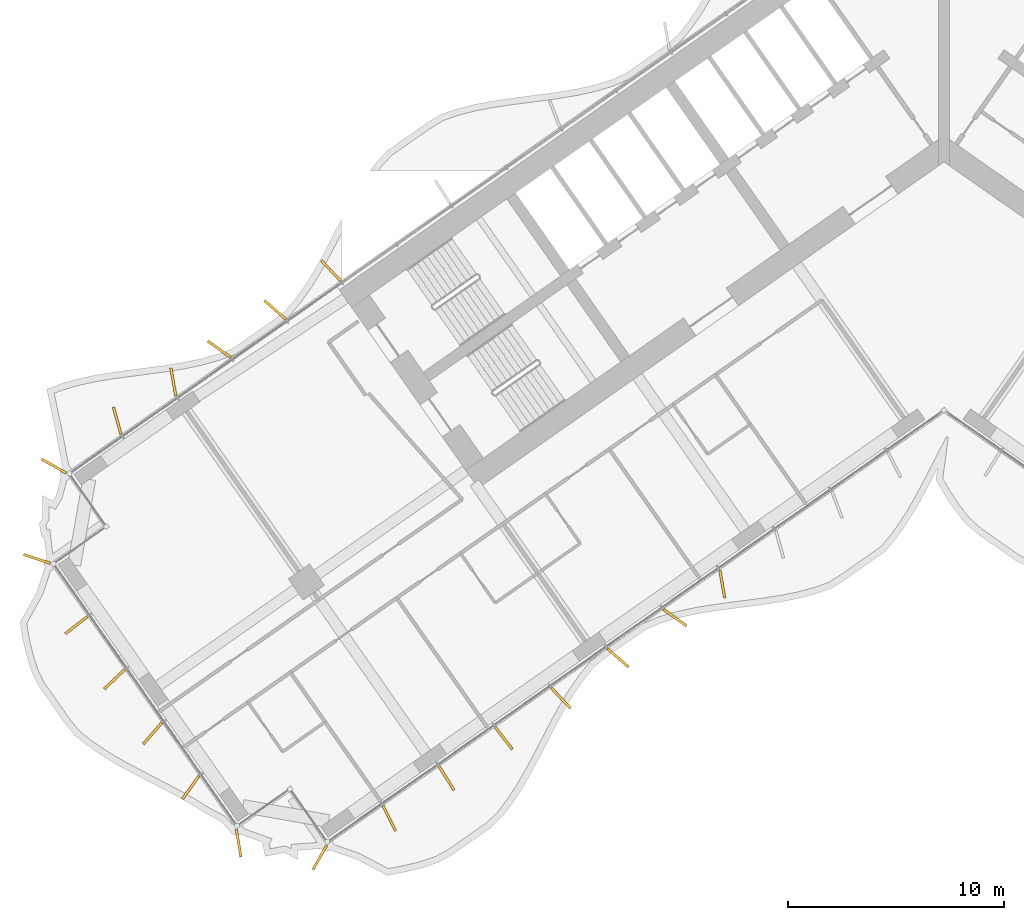
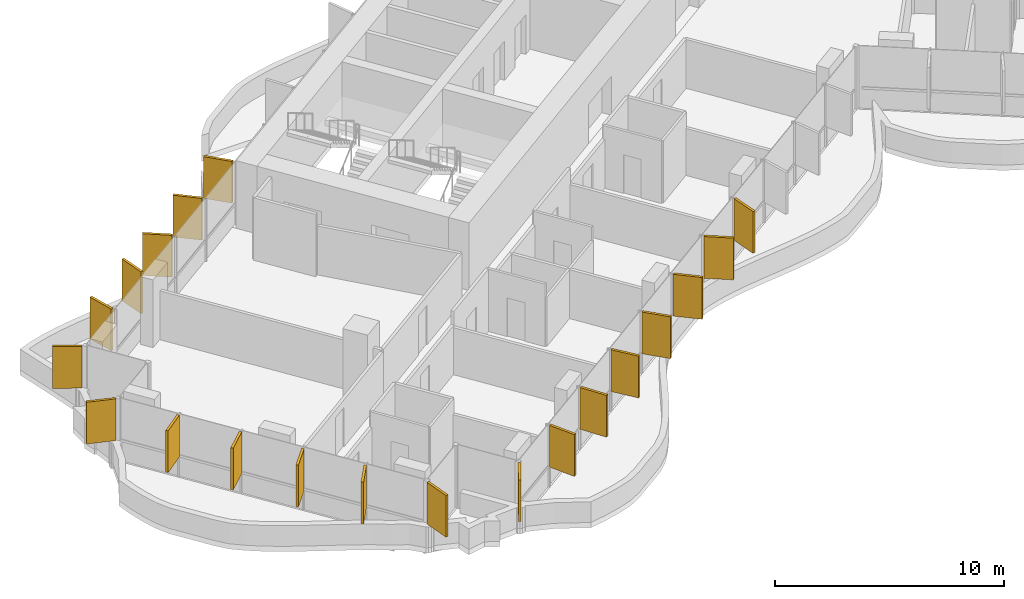
# One storey, part 18 of 23: 20 shading devices.
"""IFC4 building model written with IfcOpenShell, lengths in metres."""

from ifc_helpers import new_model, si_unit, direction, frame, origin, origin_2d, place, context, subcontext, project, spatial, rectangle, extrude, material, layer, layer_set, type_object, element, save


model = new_model("IFC4")

# Units and contexts
model_context = context("Model", 3, precision=1e-05, world=origin(), true_north=direction((0.0, 1.0)))
body_context = subcontext(model_context, "Body", "Model", "MODEL_VIEW")
ifc_project = project(units=[si_unit("LENGTHUNIT", "METRE"), si_unit("AREAUNIT", "SQUARE_METRE"), si_unit("VOLUMEUNIT", "CUBIC_METRE"), si_unit("PLANEANGLEUNIT", "RADIAN"), si_unit("MASSUNIT", "GRAM", prefix="KILO")], contexts=[model_context])

# Site, building, storey
site_placement = place(None, origin())
site = spatial("IfcSite", under=ifc_project, at=site_placement, CompositionType="ELEMENT")
building_placement = place(site_placement, origin())
building = spatial("IfcBuilding", under=site, at=building_placement, Name="Tel Ilan Convention Tower", CompositionType="ELEMENT")
storey_placement = place(building_placement, frame((0.0, 0.0, 112.10009765625)))
storey = spatial("IfcBuildingStorey", under=building, at=storey_placement, Name="L24", CompositionType="ELEMENT", Elevation=112.10009765625)

# Shading devices
ifc_material = material(Name="Aluminium, bronze anodised", Category="aluminium")
ifc_layer = layer(ifc_material, 0.1201171875)
ifc_layer_set = layer_set([ifc_layer], Name="FIN BRONZE 1300x120")
shading_device_type = type_object("IfcShadingDeviceType", Name="FIN BRONZE 1300x120", PredefinedType="USERDEFINED", material=ifc_layer_set)
for number, where, z_axis, x_axis, name in (
    (1, (-28.35693359375, -6.242431640625, 1.10009765625), (0.0, 0.0, 1.0), (-0.686241637865, 0.727373641577, 0.0), "FIN"),
    (2, (-30.940673828125, -8.0595703125, 1.10009765625), (0.0, 0.0, 1.0), (-0.753435896329, 0.657521368568, 0.0), "FIN"),
    (3, (-33.52001953125, -9.880859375, 1.10009765625), (0.0, 0.0, 1.0), (-0.813552070258, 0.581492071294, 0.0), "FIN"),
    (4, (-35.64404296875, -11.390625, 1.10009765625), (0.0, 0.0, 1.0), (-0.173648177667, 0.984807753012, 0.0), "FIN"),
    (5, (-38.2392578125, -13.185302734375, 1.10009765625), (0.0, 0.0, 1.0), (-0.268172612768, 0.963370878614, 0.0), "FIN"),
    (6, (-41.176025390625, -15.281005859375, 1.10009765625), (0.0, 0.0, 1.0), (-0.870832754082, 0.491579408049, 0.0), "FIN"),
    (7, (-41.95263671875, -19.576171875, 1.10009765625), (0.0, 0.0, 1.0), (-0.949242643575, 0.314544756146, 0.0), "FIN"),
    (8, (-40.12255859375, -22.63916015625, 1.10009765625), (0.0, 0.0, 1.0), (-0.790392669516, -0.612600545196, 0.0), "FIN"),
    (9, (-38.365478515625, -25.147705078125, 1.10009765625), (0.0, 0.0, 1.0), (-0.727373641577, -0.686241637865, 0.0), "FIN"),
    (10, (-36.60400390625, -27.652099609375, 1.10009765625), (0.0, 0.0, 1.0), (-0.657521368568, -0.753435896329, 0.0), "FIN"),
    (11, (-34.83837890625, -30.15185546875, 1.10009765625), (0.0, 0.0, 1.0), (-0.581492071294, -0.813552070258, 0.0), "FIN"),
    (12, (-32.62060546875, -32.729736328125, 1.10009765625), (0.0, 0.0, 1.0), (0.16409119891, -0.986445172547, 0.0), "FIN"),
    (13, (-28.86865234375, -33.391357421875, 1.10009765625), (0.0, 0.0, 1.0), (-0.491579408049, -0.870832754082, 0.0), "FIN"),
    (14, (-25.654296875, -31.576416015625, 1.10009765625), (0.0, 0.0, 1.0), (0.448799180206, -0.893632640321, 0.0), "FIN"),
    (15, (-23.007568359375, -29.7236328125, 1.10009765625), (0.0, 0.0, 1.0), (0.533204432798, -0.845986425922, 0.0), "FIN"),
    (16, (-20.36083984375, -27.87060546875, 1.10009765625), (0.0, 0.0, 1.0), (0.612600545196, -0.790392669516, 0.0), "FIN"),
    (17, (-17.714599609375, -26.01708984375, 1.10009765625), (0.0, 0.0, 1.0), (0.686241637865, -0.727373641577, 0.0), "FIN"),
    (18, (-15.07275390625, -24.159423828125, 1.10009765625), (0.0, 0.0, 1.0), (0.753435896329, -0.657521368568, 0.0), "FIN"),
    (19, (-12.435302734375, -22.29736328125, 1.10009765625), (0.0, 0.0, 1.0), (0.813552070258, -0.581492071294, 0.0), "FIN"),
    (20, (-10.253173828125, -20.746826171875, 1.10009765625), (0.0, 0.0, 1.0), (0.173648177667, -0.984807753012, 0.0), "FIN"),
):
    element("IfcShadingDevice", number, at=place(storey_placement, frame(where, z_axis=z_axis, x_axis=x_axis)), inside=storey, type_object=shading_device_type, Name=name, ObjectType="FIN", PredefinedType="USERDEFINED", context=body_context, shape_type="SweptSolid", body=[
        extrude(rectangle(XDim=1.300048828125, YDim=0.1201171875, at=origin_2d()), origin(), (0.0, 0.0, 1.0), 2.219970703125),
    ])

save(model, "model.ifc")
